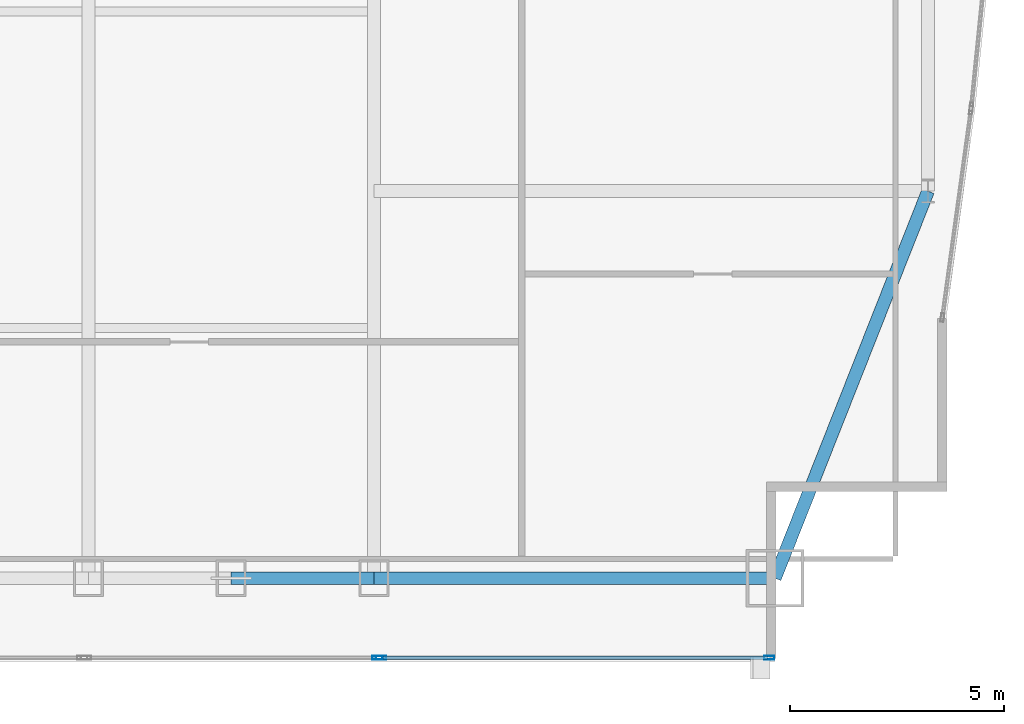
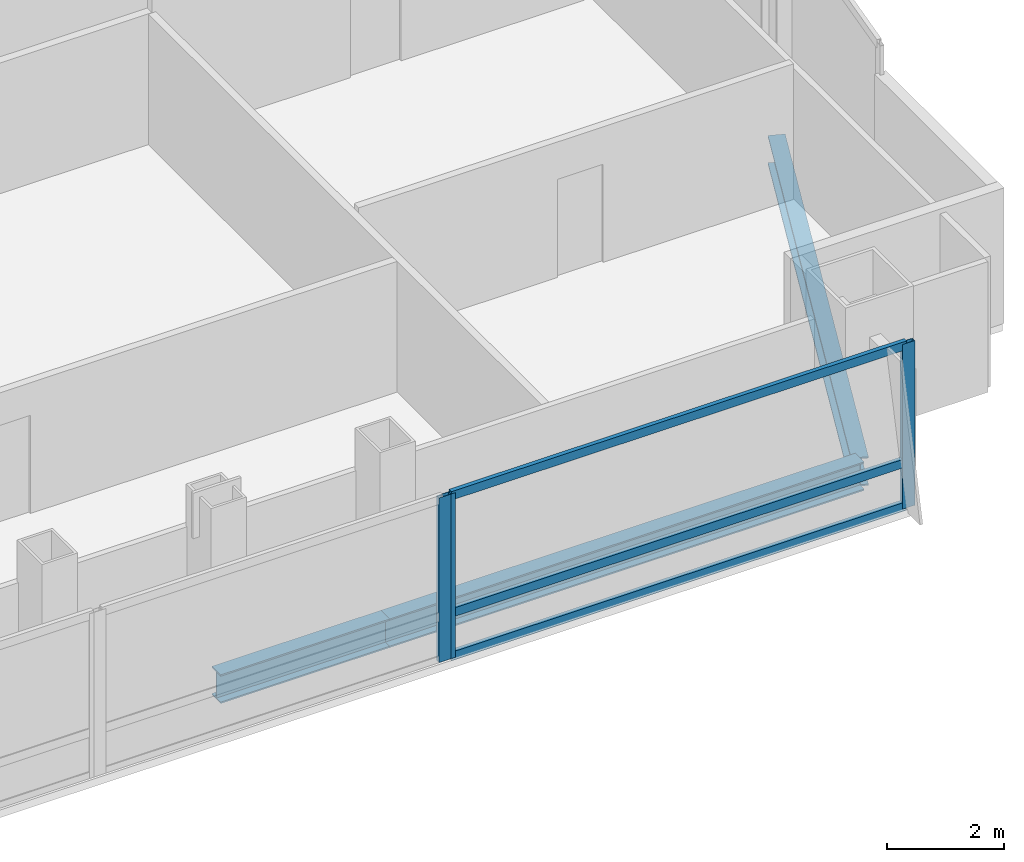
# One storey, part 15 of 29: 6 members, 3 beams, 2 elements without a shape of their own.
"""IFC4 building model written with IfcOpenShell, lengths in metres."""

from ifc_helpers import new_model, si_unit, direction, frame, origin, origin_2d, place, context, subcontext, project, spatial, hollow_rectangle, i_section, extrude, material, material_profile, profile_set, type_object, element, aggregate, save


model = new_model("IFC4")

# Units and contexts
model_context = context("Model", 3, precision=1e-05, world=origin(), true_north=direction((0.0, 1.0)))
body_context = subcontext(model_context, "Body", "Model", "MODEL_VIEW")
ifc_project = project(units=[si_unit("LENGTHUNIT", "METRE"), si_unit("AREAUNIT", "SQUARE_METRE"), si_unit("VOLUMEUNIT", "CUBIC_METRE"), si_unit("PLANEANGLEUNIT", "RADIAN"), si_unit("MASSUNIT", "GRAM", prefix="KILO")], contexts=[model_context])

# Site, building, storey
site_placement = place(None, origin())
site = spatial("IfcSite", under=ifc_project, at=site_placement, CompositionType="ELEMENT")
building_placement = place(site_placement, origin())
building = spatial("IfcBuilding", under=site, at=building_placement, Name="Khoronbel Lancet Exchange", CompositionType="ELEMENT")
storey_placement = place(building_placement, frame((0.0, 0.0, 177.0)))
storey = spatial("IfcBuildingStorey", under=building, at=storey_placement, Name="L44", CompositionType="ELEMENT", Elevation=177.0)

# Beams
ifc_material_1 = material(Name="Steel S355", Category="steel")
ifc_material_profile_1 = material_profile(ifc_material_1, i_section(OverallWidth=0.300048828125, OverallDepth=0.60009765625, WebThickness=0.015380859375, FlangeThickness=0.030029296875, at=origin_2d()), Name="HEB 600")
ifc_profile_set_1 = profile_set([ifc_material_profile_1], Name="Steel S355")
beam_type = type_object("IfcBeamType", Name="BM-BSP2", PredefinedType="SPANDREL", material=ifc_profile_set_1)
beam_1_placement = place(storey_placement, frame((51.33740234375, 10.14990234375, -0.4599609375), z_axis=(1.0, 0.0, 0.0), x_axis=(0.0, 1.0, 0.0)))
element("IfcBeam", 1, at=beam_1_placement, inside=storey, type_object=beam_type, Name="Level L44 perimeter spandrel beam SP08", PredefinedType="SPANDREL", context=body_context, shape_type="SweptSolid", body=[
    extrude(i_section(OverallWidth=0.300048828125, OverallDepth=0.60009765625, WebThickness=0.015380859375, FlangeThickness=0.030029296875, at=origin_2d()), origin(), (0.0, 0.0, 1.0), 3.337646484375),
])
beam_2_placement = place(storey_placement, frame((54.675048828125, 10.14990234375, -0.4599609375), z_axis=(1.0, 0.0, 0.0), x_axis=(0.0, 1.0, 0.0)))
element("IfcBeam", 2, at=beam_2_placement, inside=storey, type_object=beam_type, Name="Level L44 perimeter spandrel beam SP09", PredefinedType="SPANDREL", context=body_context, shape_type="SweptSolid", body=[
    extrude(i_section(OverallWidth=0.300048828125, OverallDepth=0.60009765625, WebThickness=0.015380859375, FlangeThickness=0.030029296875, at=origin_2d()), origin(), (0.0, 0.0, 1.0), 9.375),
])
beam_3_placement = place(storey_placement, frame((64.050048828125, 10.14990234375, -0.4599609375), z_axis=(0.367828403855, 0.929893684954, 0.0), x_axis=(-0.929893684954, 0.367828403855, 0.0)))
element("IfcBeam", 3, at=beam_3_placement, inside=storey, type_object=beam_type, Name="Level L44 perimeter spandrel beam SP10", PredefinedType="SPANDREL", context=body_context, shape_type="SweptSolid", body=[
    extrude(i_section(OverallWidth=0.300048828125, OverallDepth=0.60009765625, WebThickness=0.015380859375, FlangeThickness=0.030029296875, at=origin_2d()), origin(), (0.0, 0.0, 1.0), 9.732421875),
])

# Curtain wall, member
ifc_material_2 = material(Name="Low-E Solar Control Insulating Glass", Category="glass")
curtain_wall_type = type_object("IfcCurtainWallType", Name="CW-3", PredefinedType="NOTDEFINED", material=ifc_material_2)
curtain_wall_1_placement = place(storey_placement, origin())
curtain_wall_1 = element("IfcCurtainWall", 4, at=curtain_wall_1_placement, inside=storey, type_object=curtain_wall_type, Name="Unitised curtain wall CW-L44-SEB", PredefinedType="NOTDEFINED")
ifc_material_3 = material(Name="Bronze-Anodised Aluminium 6063-T6", Category="aluminium")
ifc_material_profile_2 = material_profile(ifc_material_3, hollow_rectangle(XDim=0.0849609375, YDim=0.239990234375, WallThickness=0.006103515625, at=origin_2d()), Name="ALU MULLION 85x240")
ifc_profile_set_2 = profile_set([ifc_material_profile_2], Name="Bronze-Anodised Aluminium 6063-T6")
member_type_1 = type_object("IfcMemberType", Name="MEM-CWM1", PredefinedType="MULLION", material=ifc_profile_set_2)
member_1_placement = place(storey_placement, frame((54.757568359375, 8.2900390625, 0.0), z_axis=(0.0, 0.0, 1.0), x_axis=(0.0, 1.0, 0.0)))
member_1 = element("IfcMember", 5, at=member_1_placement, type_object=member_type_1, Name="CW3 mullion 2", PredefinedType="MULLION", context=body_context, shape_type="SweptSolid", body=[
    extrude(hollow_rectangle(XDim=0.0849609375, YDim=0.239990234375, WallThickness=0.006103515625, at=origin_2d()), origin(), (0.0, 0.0, 1.0), 3.43994140625),
])
aggregate(curtain_wall_1, [member_1])

# Curtain wall, members
curtain_wall_2_placement = place(storey_placement, origin())
curtain_wall_2 = element("IfcCurtainWall", 6, at=curtain_wall_2_placement, inside=storey, type_object=curtain_wall_type, Name="Unitised curtain wall CW-L44-SEV", PredefinedType="NOTDEFINED")
member_2_placement = place(storey_placement, frame((54.842529296875, 8.2900390625, 0.0), z_axis=(0.0, 0.0, 1.0), x_axis=(0.0, 1.0, 0.0)))
member_2 = element("IfcMember", 7, at=member_2_placement, type_object=member_type_1, Name="CW3 mullion 1", PredefinedType="MULLION", context=body_context, shape_type="SweptSolid", body=[
    extrude(hollow_rectangle(XDim=0.0849609375, YDim=0.239990234375, WallThickness=0.006103515625, at=origin_2d()), origin(), (0.0, 0.0, 1.0), 3.43994140625),
])
member_3_placement = place(storey_placement, frame((63.91748046875, 8.2900390625, 0.0), z_axis=(0.0, 0.0, 1.0), x_axis=(0.0, 1.0, 0.0)))
member_3 = element("IfcMember", 8, at=member_3_placement, type_object=member_type_1, Name="CW3 mullion 2", PredefinedType="MULLION", context=body_context, shape_type="SweptSolid", body=[
    extrude(hollow_rectangle(XDim=0.0849609375, YDim=0.239990234375, WallThickness=0.006103515625, at=origin_2d()), origin(), (0.0, 0.0, 1.0), 3.43994140625),
])
ifc_material_profile_3 = material_profile(ifc_material_3, hollow_rectangle(XDim=0.0849609375, YDim=0.179931640625, WallThickness=0.0048828125, at=origin_2d()), Name="ALU TRANSOM 85x180")
ifc_profile_set_3 = profile_set([ifc_material_profile_3], Name="Bronze-Anodised Aluminium 6063-T6")
member_type_2 = type_object("IfcMemberType", Name="MEM-CWT1", PredefinedType="USERDEFINED", material=ifc_profile_set_3)
member_4_placement = place(storey_placement, frame((54.885009765625, 8.2900390625, 0.04248046875), z_axis=(1.0, 0.0, 0.0), x_axis=(0.0, 1.0, 0.0)))
member_4 = element("IfcMember", 9, at=member_4_placement, type_object=member_type_2, Name="CW3 transom 1.1", ObjectType="TRANSOM", PredefinedType="USERDEFINED", context=body_context, shape_type="SweptSolid", body=[
    extrude(hollow_rectangle(XDim=0.0849609375, YDim=0.179931640625, WallThickness=0.0048828125, at=origin_2d()), origin(), (0.0, 0.0, 1.0), 8.989990234375),
])
member_5_placement = place(storey_placement, frame((54.885009765625, 8.2900390625, 0.949951171875), z_axis=(1.0, 0.0, 0.0), x_axis=(0.0, 1.0, 0.0)))
member_5 = element("IfcMember", 10, at=member_5_placement, type_object=member_type_2, Name="CW3 transom 1.2", ObjectType="TRANSOM", PredefinedType="USERDEFINED", context=body_context, shape_type="SweptSolid", body=[
    extrude(hollow_rectangle(XDim=0.0849609375, YDim=0.179931640625, WallThickness=0.0048828125, at=origin_2d()), origin(), (0.0, 0.0, 1.0), 8.989990234375),
])
member_6_placement = place(storey_placement, frame((54.885009765625, 8.2900390625, 3.3974609375), z_axis=(1.0, 0.0, 0.0), x_axis=(0.0, 1.0, 0.0)))
member_6 = element("IfcMember", 11, at=member_6_placement, type_object=member_type_2, Name="CW3 transom 1.3", ObjectType="TRANSOM", PredefinedType="USERDEFINED", context=body_context, shape_type="SweptSolid", body=[
    extrude(hollow_rectangle(XDim=0.0849609375, YDim=0.179931640625, WallThickness=0.0048828125, at=origin_2d()), origin(), (0.0, 0.0, 1.0), 8.989990234375),
])
aggregate(curtain_wall_2, [member_2, member_3, member_4, member_5, member_6])

save(model, "model.ifc")
